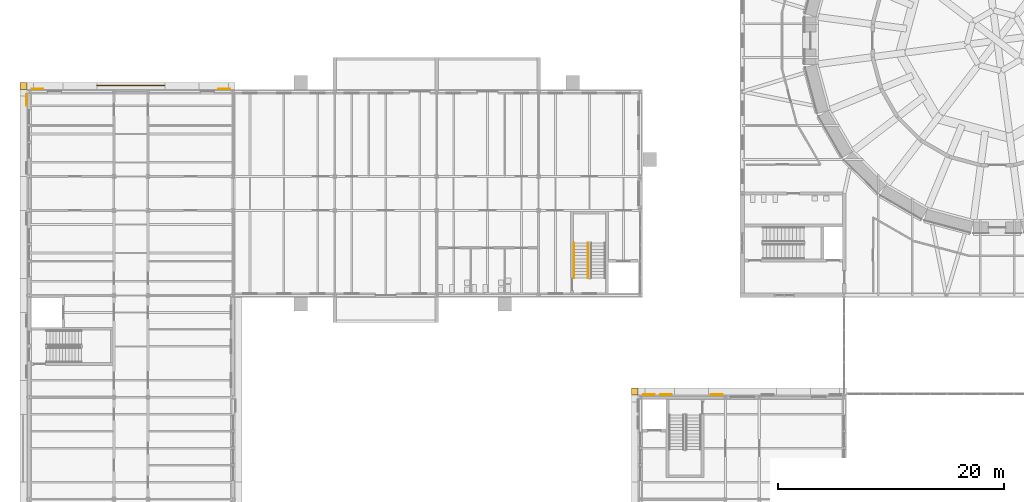
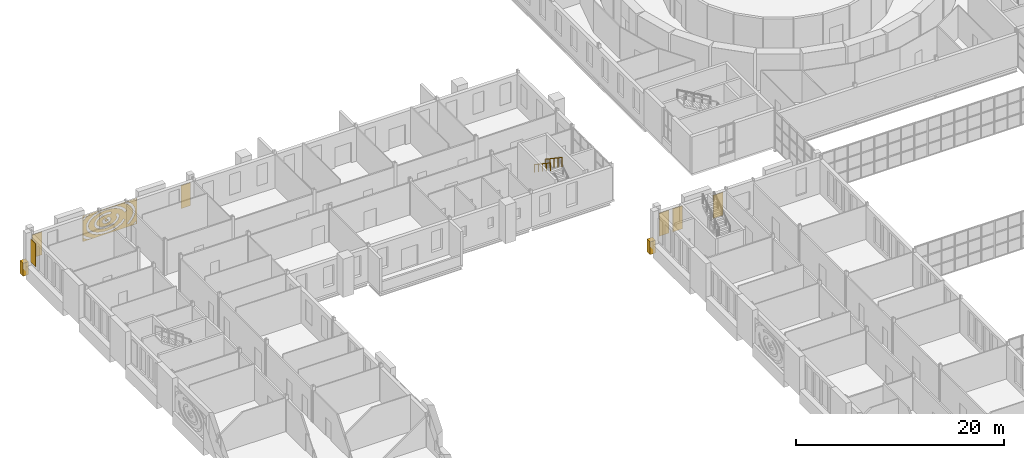
# One storey, part 118 of 131: 9 coverings, 2 railings.
"""IFC4 building model written with IfcOpenShell, lengths in metres."""

from ifc_helpers import new_model, si_unit, direction, frame, origin, origin_2d, place, context, subcontext, project, spatial, polyline, circle, outline, extrude, material, layer, layer_set, type_object, element, save


model = new_model("IFC4")

# Units and contexts
model_context = context("Model", 3, precision=1e-05, world=origin(), true_north=direction((0.0, 1.0)))
body_context = subcontext(model_context, "Body", "Model", "MODEL_VIEW")
ifc_project = project(units=[si_unit("LENGTHUNIT", "METRE"), si_unit("AREAUNIT", "SQUARE_METRE"), si_unit("VOLUMEUNIT", "CUBIC_METRE"), si_unit("PLANEANGLEUNIT", "RADIAN"), si_unit("MASSUNIT", "GRAM", prefix="KILO")], contexts=[model_context])

# Site, building, storey
site_placement = place(None, origin())
site = spatial("IfcSite", under=ifc_project, at=site_placement, CompositionType="ELEMENT")
building_placement = place(site_placement, origin())
building = spatial("IfcBuilding", under=site, at=building_placement, Name="Golden Quay Civic Hall", CompositionType="ELEMENT")
storey_placement = place(building_placement, frame((0.0, 0.0, 9.89990234375)))
storey = spatial("IfcBuildingStorey", under=building, at=storey_placement, Name="L02", CompositionType="ELEMENT", Elevation=9.89990234375)

# Covering
ifc_material_1 = material(Name="Aluminium, golden anodised, perforated", Category="aluminium")
ifc_layer_1 = layer(ifc_material_1, 0.0400390625)
ifc_layer_set_1 = layer_set([ifc_layer_1], Name="Perforated screen panel 6000 x 3000 x 40")
covering_type_1 = type_object("IfcCoveringType", Name="Perforated screen panel 6000 x 3000 x 40", PredefinedType="CLADDING", material=ifc_layer_set_1)
covering_1_placement = place(storey_placement, frame((9.0, 81.5, 2.10009765625), z_axis=(0.0, 1.0, 0.0), x_axis=(-1.0, 0.0, 0.0)))
element("IfcCovering", 1, at=covering_1_placement, inside=storey, type_object=covering_type_1, Name="Perforated screen panel 6000 x 3000 x 40 L02 3", PredefinedType="CLADDING", context=body_context, shape_type="SweptSolid", body=[
    extrude(outline(polyline([(-3.0, -1.5), (3.0, -1.5), (3.0, 1.5), (-3.0, 1.5), (-3.0, -1.5)]), holes=[polyline([(0.258056640625, 0.16650390625), (0.1943359375, 0.14599609375), (0.162109375, 0.12841796875), (0.139404296875, 0.110595703125), (0.126708984375, 0.095458984375), (0.120849609375, 0.080078125), (0.1259765625, 0.065673828125), (0.1376953125, 0.051025390625), (0.174072265625, 0.0244140625), (0.210205078125, 0.007568359375), (0.277587890625, -0.010498046875), (0.327880859375, -0.015869140625), (0.379150390625, -0.015380859375), (0.45263671875, -0.004150390625), (0.495361328125, 0.009765625), (0.544189453125, 0.035888671875), (0.564453125, 0.05322265625), (0.574951171875, 0.0673828125), (0.5791015625, 0.07861328125), (0.57568359375, 0.09130859375), (0.55810546875, 0.11279296875), (0.5341796875, 0.130859375), (0.4765625, 0.1572265625), (0.562744140625, 0.38232421875), (0.633056640625, 0.351806640625), (0.68798828125, 0.317626953125), (0.742431640625, 0.269287109375), (0.77392578125, 0.22900390625), (0.801513671875, 0.176513671875), (0.816650390625, 0.123291015625), (0.81982421875, 0.064697265625), (0.810302734375, 0.009521484375), (0.797607421875, -0.02587890625), (0.780517578125, -0.05859375), (0.759765625, -0.0888671875), (0.735595703125, -0.1162109375), (0.708984375, -0.14111328125), (0.6572265625, -0.177978515625), (0.581298828125, -0.21533203125), (0.54541015625, -0.22802734375), (0.477294921875, -0.245361328125), (0.3916015625, -0.256103515625), (0.319091796875, -0.256591796875), (0.272705078125, -0.2529296875), (0.2021484375, -0.240966796875), (0.164794921875, -0.231201171875), (0.093505859375, -0.20458984375), (0.0283203125, -0.1689453125), (-0.02880859375, -0.123291015625), (-0.06201171875, -0.085693359375), (-0.093505859375, -0.034912109375), (-0.1123046875, 0.016357421875), (-0.1201171875, 0.074462890625), (-0.115234375, 0.130615234375), (-0.097412109375, 0.186767578125), (-0.0712890625, 0.23291015625), (-0.03271484375, 0.279296875), (0.025390625, 0.326904296875), (0.066162109375, 0.351318359375), (0.135009765625, 0.381591796875), (0.201904296875, 0.40087890625), (0.27978515625, 0.413818359375), (0.310546875, 0.1748046875), (0.258056640625, 0.16650390625)]), polyline([(-0.724609375, 0.27685546875), (-0.746826171875, 0.232421875), (-0.76318359375, 0.187744140625), (-0.773681640625, 0.143310546875), (-0.77880859375, 0.09912109375), (-0.778564453125, 0.05517578125), (-0.772705078125, 0.010986328125), (-0.761474609375, -0.033447265625), (-0.744384765625, -0.078125), (-0.721435546875, -0.122802734375), (-0.6923828125, -0.167236328125), (-0.6572265625, -0.211181640625), (-0.61572265625, -0.254150390625), (-0.568603515625, -0.2958984375), (-0.515380859375, -0.3359375), (-0.456787109375, -0.373779296875), (-0.392822265625, -0.409423828125), (-0.32421875, -0.44189453125), (-0.251220703125, -0.4716796875), (-0.17431640625, -0.497802734375), (-0.093994140625, -0.5205078125), (-0.010986328125, -0.539306640625), (0.07470703125, -0.55419921875), (0.161865234375, -0.565185546875), (0.250244140625, -0.572021484375), (0.339599609375, -0.574462890625), (0.4287109375, -0.572998046875), (0.517333984375, -0.567138671875), (0.60498046875, -0.55712890625), (0.69091796875, -0.543212890625), (0.774658203125, -0.525146484375), (0.855712890625, -0.50341796875), (0.933349609375, -0.47802734375), (1.00732421875, -0.44921875), (1.0771484375, -0.417236328125), (1.14208984375, -0.382568359375), (1.201904296875, -0.34521484375), (1.256591796875, -0.305419921875), (1.30517578125, -0.26416015625), (1.347900390625, -0.221435546875), (1.384521484375, -0.177490234375), (1.4150390625, -0.13330078125), (1.439453125, -0.088623046875), (1.4580078125, -0.0439453125), (1.470458984375, 0.00048828125), (1.4775390625, 0.044677734375), (1.479248046875, 0.0888671875), (1.475341796875, 0.1328125), (1.46630859375, 0.17724609375), (1.451171875, 0.2216796875), (1.430419921875, 0.266357421875), (1.40380859375, 0.310791015625), (1.370849609375, 0.35498046875), (1.331787109375, 0.3984375), (1.28662109375, 0.44091796875), (1.235595703125, 0.4814453125), (1.178955078125, 0.520263671875), (1.116943359375, 0.556640625), (1.0498046875, 0.59033203125), (0.978515625, 0.62109375), (0.90283203125, 0.648681640625), (0.82373046875, 0.672607421875), (0.74169921875, 0.69287109375), (0.656982421875, 0.709228515625), (0.5703125, 0.7216796875), (0.482177734375, 0.72998046875), (0.393310546875, 0.73388671875), (0.303955078125, 0.73388671875), (0.215087890625, 0.729736328125), (0.126953125, 0.72119140625), (0.040283203125, 0.708740234375), (-0.044189453125, 0.692138671875), (-0.12939453125, 0.671142578125), (-0.1875, 0.90478515625), (-0.093505859375, 0.927978515625), (0.0029296875, 0.94677734375), (0.101318359375, 0.960693359375), (0.195068359375, 0.9697265625), (0.29541015625, 0.974609375), (0.39599609375, 0.974853515625), (0.49609375, 0.970458984375), (0.595703125, 0.961181640625), (0.69970703125, 0.9462890625), (0.790283203125, 0.9287109375), (0.884521484375, 0.90576171875), (0.975830078125, 0.878173828125), (1.0703125, 0.84375), (1.1484375, 0.810302734375), (1.228759765625, 0.77001953125), (1.304443359375, 0.725830078125), (1.375244140625, 0.677978515625), (1.4404296875, 0.626220703125), (1.50732421875, 0.5634765625), (1.560546875, 0.50341796875), (1.600341796875, 0.4501953125), (1.64013671875, 0.385009765625), (1.672607421875, 0.317138671875), (1.700439453125, 0.2333984375), (1.71484375, 0.16064453125), (1.72021484375, 0.08740234375), (1.716552734375, 0.013916015625), (1.7041015625, -0.05859375), (1.68310546875, -0.129638671875), (1.65966796875, -0.1865234375), (1.62353515625, -0.254150390625), (1.572998046875, -0.327880859375), (1.522216796875, -0.387939453125), (1.46484375, -0.444580078125), (1.408935546875, -0.4921875), (1.333251953125, -0.54736328125), (1.259521484375, -0.593017578125), (1.1875, -0.63134765625), (1.09814453125, -0.672607421875), (1.011474609375, -0.7060546875), (0.921142578125, -0.7353515625), (0.833984375, -0.7587890625), (0.732666015625, -0.780517578125), (0.635009765625, -0.796142578125), (0.54150390625, -0.806884765625), (0.435791015625, -0.813720703125), (0.341064453125, -0.8154296875), (0.240478515625, -0.8125), (0.135009765625, -0.804443359375), (0.041748046875, -0.79296875), (-0.055419921875, -0.776123046875), (-0.150390625, -0.754638671875), (-0.242919921875, -0.728759765625), (-0.33837890625, -0.696044921875), (-0.41796875, -0.6640625), (-0.499755859375, -0.625244140625), (-0.583984375, -0.578369140625), (-0.64990234375, -0.535888671875), (-0.71728515625, -0.485595703125), (-0.7861328125, -0.424560546875), (-0.834716796875, -0.3740234375), (-0.884033203125, -0.313232421875), (-0.9326171875, -0.23828125), (-0.961669921875, -0.182373046875), (-0.989013671875, -0.113037109375), (-1.010498046875, -0.027587890625), (-1.018310546875, 0.031005859375), (-1.019775390625, 0.1044921875), (-1.009765625, 0.192138671875), (-0.99169921875, 0.263916015625), (-0.970703125, 0.3212890625), (-0.931396484375, 0.400634765625), (-0.889892578125, 0.465087890625), (-0.8486328125, 0.51806640625), (-0.65869140625, 0.36962890625), (-0.696533203125, 0.3212890625), (-0.724609375, 0.27685546875)]), polyline([(-1.382568359375, -0.546630859375), (-1.3115234375, -0.611572265625), (-1.2333984375, -0.673828125), (-1.1484375, -0.7333984375), (-1.05712890625, -0.789794921875), (-0.959716796875, -0.843017578125), (-0.856201171875, -0.89208984375), (-0.747802734375, -0.937255859375), (-0.634521484375, -0.978271484375), (-0.51708984375, -1.0146484375), (-0.3955078125, -1.04638671875), (-0.27099609375, -1.073486328125), (-0.143798828125, -1.095703125), (-0.014404296875, -1.112548828125), (0.11669921875, -1.12451171875), (0.248779296875, -1.131103515625), (0.38134765625, -1.13232421875), (0.513671875, -1.12841796875), (0.645263671875, -1.119384765625), (0.775634765625, -1.105224609375), (0.904052734375, -1.085693359375), (1.0302734375, -1.061279296875), (1.1533203125, -1.031982421875), (1.27294921875, -0.998046875), (1.388671875, -0.95947265625), (1.499755859375, -0.91650390625), (1.605712890625, -0.869384765625), (1.706298828125, -0.818359375), (1.801025390625, -0.763671875), (1.889404296875, -0.705810546875), (1.97119140625, -0.644775390625), (2.0458984375, -0.581298828125), (2.113525390625, -0.51513671875), (2.173583984375, -0.447509765625), (2.22607421875, -0.3779296875), (2.270751953125, -0.307373046875), (2.3076171875, -0.236083984375), (2.3369140625, -0.163818359375), (2.3583984375, -0.091552734375), (2.37255859375, -0.018798828125), (2.37890625, 0.0537109375), (2.3779296875, 0.12646484375), (2.369384765625, 0.19921875), (2.353271484375, 0.271728515625), (2.32958984375, 0.343994140625), (2.298095703125, 0.416015625), (2.259033203125, 0.4873046875), (2.212158203125, 0.5576171875), (2.157470703125, 0.62646484375), (2.095458984375, 0.69384765625), (2.02587890625, 0.75927734375), (1.94921875, 0.822021484375), (1.865478515625, 0.882080078125), (1.775146484375, 0.939208984375), (1.6787109375, 0.992919921875), (1.57666015625, 1.04296875), (1.468994140625, 1.0888671875), (1.356689453125, 1.130615234375), (1.239990234375, 1.168212890625), (1.119384765625, 1.20068359375), (0.995361328125, 1.228759765625), (0.868408203125, 1.251708984375), (0.739501953125, 1.269775390625), (0.608642578125, 1.282470703125), (0.476806640625, 1.2900390625), (0.34423828125, 1.29248046875), (0.2119140625, 1.289794921875), (0.080078125, 1.281494140625), (-0.05078125, 1.268310546875), (-0.1796875, 1.25), (-0.30615234375, 1.2265625), (-0.429931640625, 1.197998046875), (-0.55029296875, 1.1650390625), (-0.666748046875, 1.127197265625), (-0.77880859375, 1.085205078125), (-0.8857421875, 1.038818359375), (-0.9873046875, 0.988525390625), (-1.083251953125, 0.9345703125), (-1.173095703125, 0.877197265625), (-1.256103515625, 0.816650390625), (-1.33203125, 0.753662109375), (-1.401123046875, 0.68798828125), (-1.462646484375, 0.62060546875), (-1.5166015625, 0.551513671875), (-1.562744140625, 0.481201171875), (-1.60107421875, 0.409912109375), (-1.634033203125, 0.33251953125), (-1.855712890625, 0.42724609375), (-1.81591796875, 0.519287109375), (-1.766845703125, 0.60888671875), (-1.70947265625, 0.69580078125), (-1.649658203125, 0.7724609375), (-1.576171875, 0.853515625), (-1.4951171875, 0.930908203125), (-1.40673828125, 1.004638671875), (-1.311767578125, 1.07421875), (-1.210205078125, 1.13916015625), (-1.102783203125, 1.199951171875), (-0.98974609375, 1.256103515625), (-0.87158203125, 1.307373046875), (-0.748779296875, 1.353759765625), (-0.6220703125, 1.39501953125), (-0.452880859375, 1.43994140625), (1.153564453125, 1.43994140625), (1.310791015625, 1.398193359375), (1.432861328125, 1.359375), (1.555908203125, 1.313720703125), (1.67431640625, 1.26318359375), (1.78759765625, 1.2080078125), (1.895263671875, 1.148193359375), (1.997314453125, 1.083984375), (2.0927734375, 1.015380859375), (2.181640625, 0.94287109375), (2.269287109375, 0.8603515625), (2.337646484375, 0.78662109375), (2.404052734375, 0.703125), (2.46240234375, 0.61669921875), (2.511962890625, 0.527099609375), (2.556640625, 0.424560546875), (2.583984375, 0.34130859375), (2.605712890625, 0.245361328125), (2.61865234375, 0.13623046875), (2.619384765625, 0.038818359375), (2.610107421875, -0.058349609375), (2.591064453125, -0.154541015625), (2.566162109375, -0.23828125), (2.52880859375, -0.331787109375), (2.47705078125, -0.431884765625), (2.421142578125, -0.519287109375), (2.36279296875, -0.596435546875), (2.284912109375, -0.6845703125), (2.205078125, -0.761962890625), (2.118408203125, -0.835693359375), (2.030517578125, -0.90087890625), (1.92431640625, -0.970703125), (1.818115234375, -1.03173828125), (1.706298828125, -1.08837890625), (1.5947265625, -1.1376953125), (1.467529296875, -1.18701171875), (1.341552734375, -1.22900390625), (1.216796875, -1.264404296875), (1.07861328125, -1.29736328125), (0.9423828125, -1.323486328125), (0.80908203125, -1.34375), (0.664306640625, -1.359619140625), (0.52294921875, -1.369140625), (0.385986328125, -1.373291015625), (0.239013671875, -1.37158203125), (0.102294921875, -1.36474609375), (-0.038330078125, -1.352294921875), (-0.182373046875, -1.33349609375), (-0.314697265625, -1.310546875), (-0.44921875, -1.281494140625), (-0.585693359375, -1.24560546875), (-0.70849609375, -1.20751953125), (-0.83251953125, -1.162841796875), (-0.957275390625, -1.11083984375), (-1.066162109375, -1.05908203125), (-1.175048828125, -1.0), (-1.278076171875, -0.9365234375), (-1.375, -0.868896484375), (-1.47119140625, -0.7919921875), (-1.548095703125, -0.7216796875), (-1.623779296875, -0.64208984375), (-1.69189453125, -0.5595703125), (-1.505126953125, -0.4072265625), (-1.446044921875, -0.4794921875), (-1.382568359375, -0.546630859375)]), polyline([(1.931396484375, -1.407958984375), (2.066162109375, -1.35205078125), (2.19580078125, -1.291748046875), (2.3193359375, -1.22705078125), (2.436767578125, -1.15869140625), (2.547607421875, -1.086669921875), (2.6513671875, -1.010986328125), (2.747802734375, -0.932373046875), (2.8369140625, -0.85107421875), (2.93994140625, -0.741455078125), (2.93994140625, -1.083251953125), (2.80078125, -1.199951171875), (2.681640625, -1.28662109375), (2.560791015625, -1.365234375), (2.43212890625, -1.43994140625), (1.843994140625, -1.43994140625), (1.931396484375, -1.407958984375)]), polyline([(2.88818359375, 0.958984375), (2.80419921875, 1.042236328125), (2.712158203125, 1.12255859375), (2.61279296875, 1.199951171875), (2.50634765625, 1.2744140625), (2.39306640625, 1.34521484375), (2.21728515625, 1.43994140625), (2.68994140625, 1.43994140625), (2.75341796875, 1.395751953125), (2.863037109375, 1.310302734375), (2.93994140625, 1.243408203125), (2.93994140625, 0.9013671875), (2.88818359375, 0.958984375)]), polyline([(-1.6171875, 1.388427734375), (-1.734619140625, 1.320068359375), (-1.845703125, 1.247802734375), (-1.949462890625, 1.172607421875), (-2.046142578125, 1.093994140625), (-2.135498046875, 1.012451171875), (-2.216796875, 0.9287109375), (-2.2900390625, 0.842529296875), (-2.35546875, 0.754638671875), (-2.412353515625, 0.665283203125), (-2.461181640625, 0.574462890625), (-2.50146484375, 0.48291015625), (-2.533203125, 0.390380859375), (-2.556884765625, 0.297607421875), (-2.572021484375, 0.2041015625), (-2.5791015625, 0.11083984375), (-2.57763671875, 0.017333984375), (-2.56787109375, -0.076171875), (-2.5498046875, -0.169189453125), (-2.5234375, -0.261962890625), (-2.488525390625, -0.354248046875), (-2.4453125, -0.445556640625), (-2.393798828125, -0.535888671875), (-2.333984375, -0.625), (-2.26611328125, -0.712158203125), (-2.189697265625, -0.797607421875), (-2.105712890625, -0.880615234375), (-2.013916015625, -0.961181640625), (-1.912353515625, -1.04052734375), (-2.060546875, -1.23046875), (-2.17041015625, -1.14453125), (-2.2724609375, -1.054443359375), (-2.366943359375, -0.960693359375), (-2.45361328125, -0.863525390625), (-2.526611328125, -0.769775390625), (-2.59619140625, -0.666748046875), (-2.656982421875, -0.56103515625), (-2.70849609375, -0.45263671875), (-2.75048828125, -0.34228515625), (-2.782958984375, -0.230224609375), (-2.806884765625, -0.106201171875), (-2.818359375, 0.00830078125), (-2.819580078125, 0.123291015625), (-2.810791015625, 0.23779296875), (-2.793701171875, 0.34130859375), (-2.765625, 0.45458984375), (-2.7275390625, 0.566162109375), (-2.6796875, 0.67578125), (-2.617919921875, 0.791015625), (-2.551513671875, 0.894775390625), (-2.47607421875, 0.995849609375), (-2.392333984375, 1.093505859375), (-2.300537109375, 1.18798828125), (-2.2060546875, 1.274169921875), (-2.098876953125, 1.361572265625), (-1.9912109375, 1.43994140625), (-1.51806640625, 1.43994140625), (-1.6171875, 1.388427734375)]), polyline([(-2.8173828125, 1.384033203125), (-2.91796875, 1.289306640625), (-2.93994140625, 1.26611328125), (-2.93994140625, 1.43994140625), (-2.751708984375, 1.43994140625), (-2.8173828125, 1.384033203125)]), polyline([(-2.93994140625, -1.10595703125), (-2.81689453125, -1.224609375), (-2.708740234375, -1.316650390625), (-2.543701171875, -1.43994140625), (-2.935302734375, -1.43994140625), (-2.93994140625, -1.43603515625), (-2.93994140625, -1.10595703125)])]), origin(), (0.0, 0.0, 1.0), 0.0400390625),
])

# Railings
ifc_material_2 = material(Name="Steel S355", Category="steel")
railing_type_1 = type_object("IfcRailingType", Name="Steel guard 1100", PredefinedType="GUARDRAIL", material=ifc_material_2)
railing_1_placement = place(storey_placement, frame((49.375, 67.6298828125, 2.4375)))
element("IfcRailing", 2, at=railing_1_placement, inside=storey, type_object=railing_type_1, Name="L02 NW-E stair guard 3", PredefinedType="GUARDRAIL", context=body_context, shape_type="SweptSolid", body=[
    extrude(circle(Radius=0.02392578125, at=origin_2d()), frame((0.0, 0.0, 1.076171875), z_axis=(0.0, -0.830893310487, 0.556431762742), x_axis=(1.0, 0.0, 0.0)), (0.0, 0.0, 1.0), 3.70654296875),
    extrude(circle(Radius=0.02099609375, at=origin_2d()), origin(), (0.0, 0.0, 1.0), 1.052001953125),
    extrude(circle(Radius=0.02099609375, at=origin_2d()), frame((0.0, -0.77001953125, 0.515625)), (0.0, 0.0, 1.0), 1.052001953125),
    extrude(circle(Radius=0.02099609375, at=origin_2d()), frame((0.0, -1.5400390625, 1.03125)), (0.0, 0.0, 1.0), 1.052001953125),
    extrude(circle(Radius=0.02099609375, at=origin_2d()), frame((0.0, -2.309814453125, 1.546875)), (0.0, 0.0, 1.0), 1.052001953125),
    extrude(circle(Radius=0.02099609375, at=origin_2d()), frame((0.0, -3.079833984375, 2.0625)), (0.0, 0.0, 1.0), 1.052001953125),
])
ifc_material_3 = material(Name="Steel S355", Category="steel")
railing_type_2 = type_object("IfcRailingType", Name="Steel handrail 900", PredefinedType="HANDRAIL", material=ifc_material_3)
railing_2_placement = place(storey_placement, frame((48.125, 67.6298828125, 2.4375)))
element("IfcRailing", 3, at=railing_2_placement, inside=storey, type_object=railing_type_2, Name="L02 NW-E stair handrail 2", PredefinedType="HANDRAIL", context=body_context, shape_type="SweptSolid", body=[
    extrude(circle(Radius=0.02392578125, at=origin_2d()), frame((0.0, 0.0, 0.8759765625), z_axis=(0.0, -0.830893310487, 0.556431762742), x_axis=(1.0, 0.0, 0.0)), (0.0, 0.0, 1.0), 3.70654296875),
    extrude(circle(Radius=0.02099609375, at=origin_2d()), origin(), (0.0, 0.0, 1.0), 0.851806640625),
    extrude(circle(Radius=0.02099609375, at=origin_2d()), frame((0.0, -0.77001953125, 0.515625)), (0.0, 0.0, 1.0), 0.851806640625),
    extrude(circle(Radius=0.02099609375, at=origin_2d()), frame((0.0, -1.5400390625, 1.03125)), (0.0, 0.0, 1.0), 0.851806640625),
    extrude(circle(Radius=0.02099609375, at=origin_2d()), frame((0.0, -2.309814453125, 1.546875)), (0.0, 0.0, 1.0), 0.851806640625),
    extrude(circle(Radius=0.02099609375, at=origin_2d()), frame((0.0, -3.079833984375, 2.0625)), (0.0, 0.0, 1.0), 0.851806640625),
])

# Coverings
ifc_material_4 = material(Name="Terracotta cladding, golden glaze", Category="masonry")
ifc_layer_2 = layer(ifc_material_4, 0.050048828125)
ifc_layer_set_2 = layer_set([ifc_layer_2], Name="Terracotta solid panel 1050 x 2700 x 50")
covering_type_2 = type_object("IfcCoveringType", Name="Terracotta solid panel 1050 x 2700 x 50", PredefinedType="CLADDING", material=ifc_layer_set_2)
covering_2_placement = place(storey_placement, frame((0.0, 0.0, 0.900146484375)))
element("IfcCovering", 4, at=covering_2_placement, inside=storey, type_object=covering_type_2, Name="Terracotta solid panel 1050 x 2700 x 50 L02 8", PredefinedType="CLADDING", context=body_context, shape_type="SweptSolid", body=[
    extrude(outline(polyline([(-0.199951171875, 79.72509765625), (-0.199951171875, 80.77490234375), (-0.25, 80.77490234375), (-0.25, 79.72509765625), (-0.199951171875, 79.72509765625)])), origin(), (0.0, 0.0, 1.0), 2.699951171875),
])
covering_3_placement = place(storey_placement, frame((0.0, 0.0, 0.900146484375)))
element("IfcCovering", 5, at=covering_3_placement, inside=storey, type_object=covering_type_2, Name="Terracotta solid panel 1050 x 2700 x 50 L02 9", PredefinedType="CLADDING", context=body_context, shape_type="SweptSolid", body=[
    extrude(outline(polyline([(0.22509765625, 81.199951171875), (1.27490234375, 81.199951171875), (1.27490234375, 81.25), (0.22509765625, 81.25), (0.22509765625, 81.199951171875)])), origin(), (0.0, 0.0, 1.0), 2.699951171875),
])
covering_4_placement = place(storey_placement, frame((0.0, 0.0, 0.900146484375)))
element("IfcCovering", 6, at=covering_4_placement, inside=storey, type_object=covering_type_2, Name="Terracotta solid panel 1050 x 2700 x 50 L02 10", PredefinedType="CLADDING", context=body_context, shape_type="SweptSolid", body=[
    extrude(outline(polyline([(16.72509765625, 81.199951171875), (17.77490234375, 81.199951171875), (17.77490234375, 81.25), (16.72509765625, 81.25), (16.72509765625, 81.199951171875)])), origin(), (0.0, 0.0, 1.0), 2.699951171875),
])
covering_5_placement = place(storey_placement, frame((0.0, 0.0, 0.900146484375)))
element("IfcCovering", 7, at=covering_5_placement, inside=storey, type_object=covering_type_2, Name="Terracotta solid panel 1050 x 2700 x 50 L02 19", PredefinedType="CLADDING", context=body_context, shape_type="SweptSolid", body=[
    extrude(outline(polyline([(54.22509765625, 54.199951171875), (55.27490234375, 54.199951171875), (55.27490234375, 54.25), (54.22509765625, 54.25), (54.22509765625, 54.199951171875)])), origin(), (0.0, 0.0, 1.0), 2.699951171875),
])
covering_6_placement = place(storey_placement, frame((0.0, 0.0, 0.900146484375)))
element("IfcCovering", 8, at=covering_6_placement, inside=storey, type_object=covering_type_2, Name="Terracotta solid panel 1050 x 2700 x 50 L02 20", PredefinedType="CLADDING", context=body_context, shape_type="SweptSolid", body=[
    extrude(outline(polyline([(55.72509765625, 54.199951171875), (56.77490234375, 54.199951171875), (56.77490234375, 54.25), (55.72509765625, 54.25), (55.72509765625, 54.199951171875)])), origin(), (0.0, 0.0, 1.0), 2.699951171875),
])
covering_7_placement = place(storey_placement, frame((0.0, 0.0, 0.900146484375)))
element("IfcCovering", 9, at=covering_7_placement, inside=storey, type_object=covering_type_2, Name="Terracotta solid panel 1050 x 2700 x 50 L02 21", PredefinedType="CLADDING", context=body_context, shape_type="SweptSolid", body=[
    extrude(outline(polyline([(60.22509765625, 54.199951171875), (61.27490234375, 54.199951171875), (61.27490234375, 54.25), (60.22509765625, 54.25), (60.22509765625, 54.199951171875)])), origin(), (0.0, 0.0, 1.0), 2.699951171875),
])
ifc_material_5 = material(Name="Terracotta cladding, golden glaze", Category="masonry")
covering_type_3 = type_object("IfcCoveringType", Name="Terracotta spandrel fascia 600 x 1500", PredefinedType="CLADDING", material=ifc_material_5)
covering_8_placement = place(storey_placement, frame((0.0, 0.0, -0.89990234375)))
element("IfcCovering", 10, at=covering_8_placement, inside=storey, type_object=covering_type_3, Name="Terracotta spandrel fascia 600 x 1500 L02 1", PredefinedType="CLADDING", context=body_context, shape_type="SweptSolid", body=[
    extrude(outline(polyline([(-0.800048828125, 81.199951171875), (-0.800048828125, 81.800048828125), (-0.199951171875, 81.800048828125), (-0.199951171875, 81.199951171875), (-0.800048828125, 81.199951171875)])), origin(), (0.0, 0.0, 1.0), 1.5),
])
covering_9_placement = place(storey_placement, frame((0.0, 0.0, -0.89990234375)))
element("IfcCovering", 11, at=covering_9_placement, inside=storey, type_object=covering_type_3, Name="Terracotta spandrel fascia 600 x 1500 L02 5", PredefinedType="CLADDING", context=body_context, shape_type="SweptSolid", body=[
    extrude(outline(polyline([(53.199951171875, 54.199951171875), (53.199951171875, 54.800048828125), (53.800048828125, 54.800048828125), (53.800048828125, 54.199951171875), (53.199951171875, 54.199951171875)])), origin(), (0.0, 0.0, 1.0), 1.5),
])

save(model, "model.ifc")
